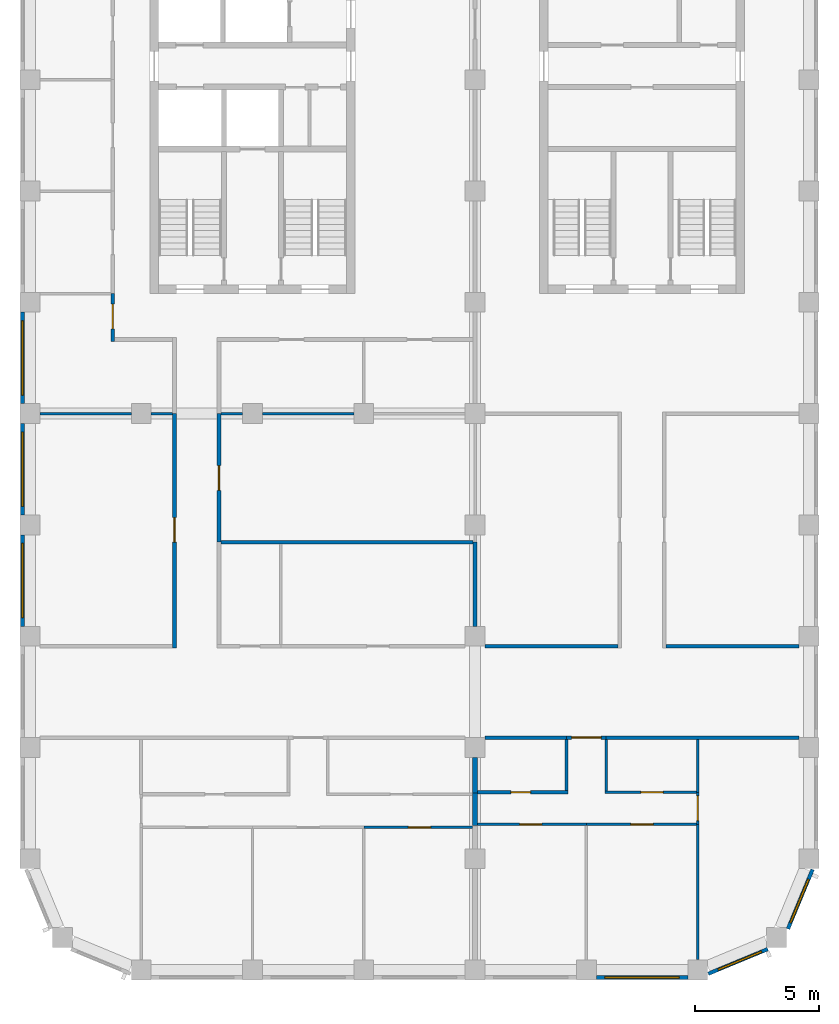
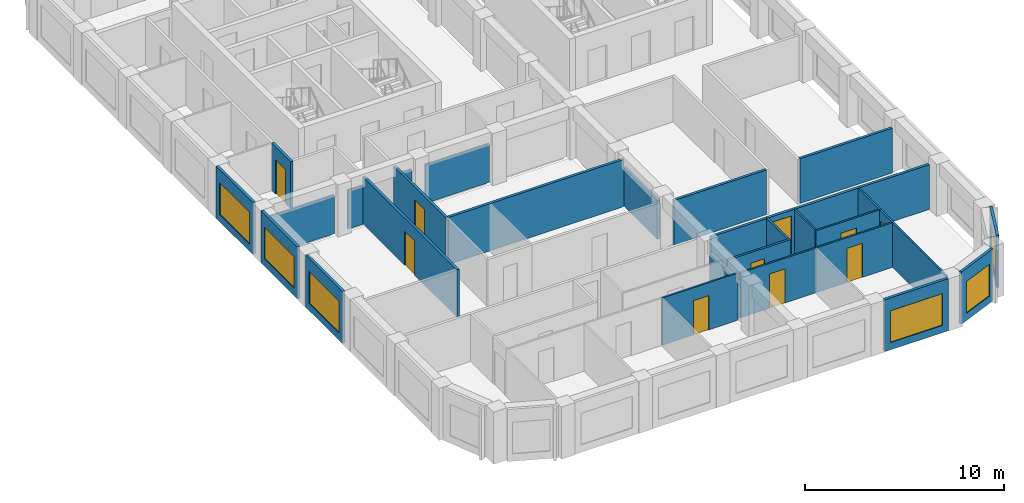
# One storey, part 3 of 9: 32 walls, 10 doors, 6 windows, 16 openings.
"""IFC4 building model written with IfcOpenShell, lengths in metres."""

import ifcopenshell
import ifcopenshell.guid

model = None  # the IFC model being written
_history = None  # IfcOwnerHistory: only IFC2X3 demands one
_inside = {}  # id of a spatial element -> (the spatial element, [elements in it])
_under = {}  # id of a project, library or spatial element -> (it, [spatial elements below it])
_declared = {}  # id of a project -> (the project, [libraries it declares])
_typed = {}  # id of a type object -> (the type object, [elements of that type])
_made_of = {}  # id of a material, layer set ... -> (it, [elements and type objects made of it])


def new_model(schema):
    """Start an empty IFC model of exactly this schema.

    Asked for "IFC4X3", IfcOpenShell would pick the latest addendum, in which some entities
    have other attributes; the version numbers below select the first issue.
    IFC2X3 requires an IfcOwnerHistory on every rooted entity: one is made here for all.
    """
    global model, _history
    if schema == "IFC4X3":
        model = ifcopenshell.file(schema_version=(4, 3, 0, 0))
    else:
        model = ifcopenshell.file(schema=schema)
    _inside.clear()
    _under.clear()
    _declared.clear()
    _typed.clear()
    _made_of.clear()
    _history = None
    if model.schema == "IFC2X3":
        org = make("IfcOrganization", Name="unknown")
        user = make(
            "IfcPersonAndOrganization",
            ThePerson=make("IfcPerson", FamilyName="unknown"),
            TheOrganization=org,
        )
        app = make(
            "IfcApplication",
            ApplicationDeveloper=org,
            Version="unknown",
            ApplicationFullName="unknown",
            ApplicationIdentifier="unknown",
        )
        _history = make(
            "IfcOwnerHistory",
            OwningUser=user,
            OwningApplication=app,
            ChangeAction="ADDED",
            CreationDate=0,
        )
    return model


def make(cls, **values):
    """One entity of the class cls with the attributes given. An attribute that is None is left unset."""
    return model.create_entity(
        cls, **{name: value for name, value in values.items() if value is not None}
    )


def rooted(cls, **values):
    """An entity with a GlobalId (a new one), such as an element, a storey or a relation."""
    return make(cls, GlobalId=ifcopenshell.guid.new(), OwnerHistory=_history, **values)


def si_unit(unit_type, name, prefix=None):
    """IfcSIUnit, for example si_unit("LENGTHUNIT", "METRE", prefix="MILLI")."""
    return make("IfcSIUnit", UnitType=unit_type, Prefix=prefix, Name=name)


def assignment(units):
    """IfcUnitAssignment: the units of a project."""
    return None if units is None else make("IfcUnitAssignment", Units=units)


def point(xyz):
    """IfcCartesianPoint."""
    return None if xyz is None else make("IfcCartesianPoint", Coordinates=xyz)


def direction(xyz):
    """IfcDirection."""
    return None if xyz is None else make("IfcDirection", DirectionRatios=xyz)


def frame(location, z_axis=None, x_axis=None):
    """IfcAxis2Placement3D, a coordinate frame: its origin and axes. An axis left out is left unset."""
    return make(
        "IfcAxis2Placement3D",
        Location=point(location),
        Axis=direction(z_axis),
        RefDirection=direction(x_axis),
    )


def frame_2d(location, x_axis=None):
    """IfcAxis2Placement2D, a coordinate frame in the plane: its origin and x axis."""
    return make(
        "IfcAxis2Placement2D", Location=point(location), RefDirection=direction(x_axis)
    )


def origin():
    """The frame at (0, 0, 0) with its axes left unset."""
    return frame((0.0, 0.0, 0.0))


def place(relative_to, where):
    """IfcLocalPlacement: puts the frame where relative to a parent placement (None: the world)."""
    return make(
        "IfcLocalPlacement", PlacementRelTo=relative_to, RelativePlacement=where
    )


def context(
    kind, dimensions, precision=None, world=None, true_north=None, identifier=None
):
    """IfcGeometricRepresentationContext, for example the 3D "Model" context."""
    return make(
        "IfcGeometricRepresentationContext",
        ContextIdentifier=identifier,
        ContextType=kind,
        CoordinateSpaceDimension=dimensions,
        Precision=precision,
        WorldCoordinateSystem=world,
        TrueNorth=true_north,
    )


def subcontext(parent, identifier, kind, view, scale=None):
    """IfcGeometricRepresentationSubContext, for example "Body" below "Model"."""
    return make(
        "IfcGeometricRepresentationSubContext",
        ContextIdentifier=identifier,
        ContextType=kind,
        ParentContext=parent,
        TargetScale=scale,
        TargetView=view,
    )


def project(units=None, contexts=None):
    """IfcProject with its units and contexts."""
    return rooted(
        "IfcProject",
        Name="project",
        RepresentationContexts=contexts,
        UnitsInContext=assignment(units),
    )


def spatial(cls, under=None, at=None, **own):
    """A site, building, storey or space (cls), placed at a placement, below another one or the project."""
    s = rooted(cls, ObjectPlacement=at, **own)
    if under is not None:
        _under.setdefault(under.id(), (under, []))[1].append(s)
    return s


def profile(cls, at=None, kind="AREA", **sizes):
    """A parametric profile (cls). Its sizes go by their IFC names, for example OverallWidth=200.0."""
    return make(cls, ProfileType=kind, Position=at, **sizes)


def rectangle(**sizes):
    """IfcRectangleProfileDef."""
    return profile("IfcRectangleProfileDef", **sizes)


def extrude(swept, where, along, depth):
    """IfcExtrudedAreaSolid: the profile swept, set in the frame where, extruded along a direction by depth."""
    return make(
        "IfcExtrudedAreaSolid",
        SweptArea=swept,
        Position=where,
        ExtrudedDirection=direction(along),
        Depth=depth,
    )


def shape(context_of_items, identifier, shape_type, items):
    """IfcShapeRepresentation: the items that make up one representation, for example the "Body"."""
    return make(
        "IfcShapeRepresentation",
        ContextOfItems=context_of_items,
        RepresentationIdentifier=identifier,
        RepresentationType=shape_type,
        Items=items,
    )


def material(Name=None, Category=None):
    """IfcMaterial."""
    return make("IfcMaterial", Name=Name, Category=Category)


def layer(
    of_material, thickness, ventilated=None, Name=None, Category=None, Priority=None
):
    """IfcMaterialLayer: one layer of a wall or slab, of a material (None: an air gap)."""
    return make(
        "IfcMaterialLayer",
        Material=of_material,
        LayerThickness=thickness,
        IsVentilated=ventilated,
        Name=Name,
        Category=Category,
        Priority=Priority,
    )


def layer_set(layers, Name=None):
    """IfcMaterialLayerSet."""
    return make("IfcMaterialLayerSet", MaterialLayers=layers, LayerSetName=Name)


def made_of(thing, what):
    """Note that an element or type object is made of a material, layer set ...; save() writes the relation."""
    if what is not None:
        _made_of.setdefault(what.id(), (what, []))[1].append(thing)
    return thing


def type_object(cls, material=None, **own):
    """A type object (cls), such as IfcWallType, which elements share."""
    return made_of(rooted(cls, **own), material)


def element(
    cls,
    number,
    at=None,
    inside=None,
    cuts=None,
    type_object=None,
    material=None,
    context=None,
    identifier="Body",
    shape_type=None,
    held_by="IfcProductDefinitionShape",
    body=None,
    shapes=None,
    **own,
):
    """One element of the class cls, such as IfcWall. Its Tag is "e" and its number.

    at: its placement. inside: the storey or other place that contains it. cuts: it is an
    opening in that element (IfcRelVoidsElement). A single representation is given by context,
    identifier, shape_type and body (its items); several are given by shapes. held_by: the class
    of the entity that holds the representations. save() writes the other relations.
    """
    e = rooted(cls, Tag="e%d" % number, ObjectPlacement=at, **own)
    if body is not None:
        shapes = [shape(context, identifier, shape_type, body)]
    if shapes is not None:
        e.Representation = make(held_by, Representations=shapes)
    if inside is not None:
        _inside.setdefault(inside.id(), (inside, []))[1].append(e)
    if cuts is not None:
        rooted(
            "IfcRelVoidsElement", RelatingBuildingElement=cuts, RelatedOpeningElement=e
        )
    if type_object is not None:
        _typed.setdefault(type_object.id(), (type_object, []))[1].append(e)
    return made_of(e, material)


def fill(opening, filler):
    """IfcRelFillsElement: the door or window that sits in an opening."""
    return rooted(
        "IfcRelFillsElement",
        RelatingOpeningElement=opening,
        RelatedBuildingElement=filler,
    )


def aggregate(whole, parts):
    """IfcRelAggregates: a whole, such as a stair, and the parts it consists of."""
    return rooted("IfcRelAggregates", RelatingObject=whole, RelatedObjects=parts)


def save(model, path):
    """Write the relations noted so far, then the file.

    IfcRelAggregates (storeys below a building ...), IfcRelContainedInSpatialStructure (elements
    in a storey), IfcRelDefinesByType, IfcRelAssociatesMaterial and IfcRelDeclares: one each for
    every whole, place, type object, material and project.
    """
    for whole, parts in _under.values():
        aggregate(whole, parts)
    for where, things in _inside.values():
        rooted(
            "IfcRelContainedInSpatialStructure",
            RelatedElements=things,
            RelatingStructure=where,
        )
    for kind, things in _typed.values():
        rooted("IfcRelDefinesByType", RelatedObjects=things, RelatingType=kind)
    for what, things in _made_of.values():
        rooted("IfcRelAssociatesMaterial", RelatedObjects=things, RelatingMaterial=what)
    for by, libraries in _declared.values():
        rooted("IfcRelDeclares", RelatingContext=by, RelatedDefinitions=libraries)
    model.write(path)


model = new_model("IFC4")

# Units and contexts
model_context = context("Model", 3, precision=1e-05, world=origin(), true_north=direction((0.0, 1.0)))
body_context = subcontext(model_context, "Body", "Model", "MODEL_VIEW")
ifc_project = project(units=[si_unit("LENGTHUNIT", "METRE"), si_unit("AREAUNIT", "SQUARE_METRE"), si_unit("VOLUMEUNIT", "CUBIC_METRE"), si_unit("PLANEANGLEUNIT", "RADIAN"), si_unit("MASSUNIT", "GRAM", prefix="KILO")], contexts=[model_context])

# Site, building, storey
site_placement = place(None, origin())
site = spatial("IfcSite", under=ifc_project, at=site_placement, CompositionType="ELEMENT")
building_placement = place(site_placement, origin())
building = spatial("IfcBuilding", under=site, at=building_placement, Name="Girih Gate Residences", CompositionType="ELEMENT")
storey_placement = place(building_placement, frame((0.0, 0.0, 226.094970703125)))
storey = spatial("IfcBuildingStorey", under=building, at=storey_placement, Name="L63", CompositionType="ELEMENT", Elevation=226.094970703125)

# Wall
ifc_material_1 = material(Name="Gypsum board on steel studs", Category="steel")
ifc_layer_1 = layer(ifc_material_1, 0.14990234375)
ifc_layer_set_1 = layer_set([ifc_layer_1], Name="Compartment wall 150 mm")
wall_type_1 = type_object("IfcWallType", Name="Compartment wall 150 mm", PredefinedType="PARTITIONING", material=ifc_layer_set_1)
wall_1_placement = place(storey_placement, frame((18.39990234375, 9.39990234375, 0.0), z_axis=(0.0, 0.0, 1.0), x_axis=(1.0, 0.0, 0.0)))
element("IfcWall", 1, at=wall_1_placement, inside=storey, type_object=wall_type_1, Name="L63 partition", PredefinedType="PARTITIONING", context=body_context, shape_type="SweptSolid", body=[
    extrude(rectangle(XDim=3.300048828125, YDim=0.14990234375, at=frame_2d((1.64990234375, 0.0))), origin(), (0.0, 0.0, 1.0), 2.75),
])

# Wall, opening, door
wall_2_placement = place(storey_placement, frame((23.300048828125, 9.39990234375, 0.0), z_axis=(0.0, 0.0, 1.0), x_axis=(-1.0, 0.0, 0.0)))
wall_2 = element("IfcWall", 2, at=wall_2_placement, inside=storey, type_object=wall_type_1, Name="L63 partition", PredefinedType="PARTITIONING", context=body_context, shape_type="SweptSolid", body=[
    extrude(rectangle(XDim=1.60009765625, YDim=0.14990234375, at=frame_2d((0.800048828125, 0.0))), origin(), (0.0, 0.0, 1.0), 2.75),
])
opening_1_placement = place(wall_2_placement, frame((0.199951171875, 0.0, 0.0)))
opening_1 = element("IfcOpeningElement", 3, at=opening_1_placement, cuts=wall_2, Name="Opening A63-023", PredefinedType="OPENING", context=body_context, shape_type="SweptSolid", body=[
    extrude(rectangle(XDim=1.199951171875, YDim=2.39990234375, at=frame_2d((0.60009765625, 1.199951171875))), frame((0.0, 0.0849609375, 0.0), z_axis=(0.0, -1.0, 0.0), x_axis=(1.0, 0.0, 0.0)), (0.0, 0.0, 1.0), 0.169921875),
])
ifc_material_2 = material(Name="Timber, fire-rated core", Category="wood")
door_type_1 = type_object("IfcDoorType", Name="Villa entrance door 1200x2400 FD30S", OperationType="NOTDEFINED", PredefinedType="DOOR", material=ifc_material_2)
door_1_placement = place(opening_1_placement, origin())
door_1 = element("IfcDoor", 4, at=door_1_placement, inside=storey, type_object=door_type_1, Name="Door A63-023", OperationType="SINGLE_SWING_LEFT", OverallHeight=2.39990234375, OverallWidth=1.199951171875, PredefinedType="DOOR", context=body_context, shape_type="SweptSolid", body=[
    extrude(rectangle(XDim=1.199951171875, YDim=2.39990234375, at=frame_2d((0.60009765625, 1.199951171875))), frame((0.0, 0.02490234375, 0.0), z_axis=(0.0, -1.0, 0.0), x_axis=(1.0, 0.0, 0.0)), (0.0, 0.0, 1.0), 0.050048828125),
])
fill(opening_1, door_1)

# Wall
wall_3_placement = place(storey_placement, frame((23.300048828125, 9.39990234375, 0.0), z_axis=(0.0, 0.0, 1.0), x_axis=(1.0, 0.0, 0.0)))
element("IfcWall", 5, at=wall_3_placement, inside=storey, type_object=wall_type_1, Name="L63 partition", PredefinedType="PARTITIONING", context=body_context, shape_type="SweptSolid", body=[
    extrude(rectangle(XDim=7.800048828125, YDim=0.14990234375, at=frame_2d((3.89990234375, 0.0))), origin(), (0.0, 0.0, 1.0), 2.75),
])

# Wall, opening, door
wall_4_placement = place(storey_placement, frame((7.64990234375, 22.5, 0.0), z_axis=(0.0, 0.0, 1.0), x_axis=(0.0, -1.0, 0.0)))
wall_4 = element("IfcWall", 6, at=wall_4_placement, inside=storey, type_object=wall_type_1, Name="L63 partition", PredefinedType="PARTITIONING", context=body_context, shape_type="SweptSolid", body=[
    extrude(rectangle(XDim=5.199951171875, YDim=0.14990234375, at=frame_2d((2.60009765625, 0.0))), origin(), (0.0, 0.0, 1.0), 2.900146484375),
])
opening_2_placement = place(wall_4_placement, frame((2.10009765625, 0.0, 0.0)))
opening_2 = element("IfcOpeningElement", 7, at=opening_2_placement, cuts=wall_4, Name="Opening A63-024", PredefinedType="OPENING", context=body_context, shape_type="SweptSolid", body=[
    extrude(rectangle(XDim=1.0, YDim=2.10009765625, at=frame_2d((0.5, 1.050048828125))), frame((0.0, 0.0849609375, 0.0), z_axis=(0.0, -1.0, 0.0), x_axis=(1.0, 0.0, 0.0)), (0.0, 0.0, 1.0), 0.169921875),
])
door_type_2 = type_object("IfcDoorType", Name="Amenity room door 1000x2100 FD30S", OperationType="NOTDEFINED", PredefinedType="DOOR", material=ifc_material_2)
door_2_placement = place(opening_2_placement, origin())
door_2 = element("IfcDoor", 8, at=door_2_placement, inside=storey, type_object=door_type_2, Name="Door A63-024", OperationType="SINGLE_SWING_RIGHT", OverallHeight=2.10009765625, OverallWidth=1.0, PredefinedType="DOOR", context=body_context, shape_type="SweptSolid", body=[
    extrude(rectangle(XDim=1.0, YDim=2.10009765625, at=frame_2d((0.5, 1.050048828125))), frame((0.0, 0.02490234375, 0.0), z_axis=(0.0, -1.0, 0.0), x_axis=(1.0, 0.0, 0.0)), (0.0, 0.0, 1.0), 0.050048828125),
])
fill(opening_2, door_2)

# Walls
wall_5_placement = place(storey_placement, frame((7.72509765625, 17.300048828125, 0.0), z_axis=(0.0, 0.0, 1.0), x_axis=(1.0, 0.0, 0.0)))
element("IfcWall", 9, at=wall_5_placement, inside=storey, type_object=wall_type_1, Name="L63 partition", PredefinedType="PARTITIONING", context=body_context, shape_type="SweptSolid", body=[
    extrude(rectangle(XDim=10.199951171875, YDim=0.14990234375, at=frame_2d((5.10009765625, 0.0))), origin(), (0.0, 0.0, 1.0), 2.900146484375),
])
for number, where, z_axis, x_axis, name in (
    (10, (18.39990234375, 13.10009765625, 0.0), (0.0, 0.0, 1.0), (1.0, 0.0, 0.0), "L63 partition"),
    (11, (25.72509765625, 13.10009765625, 0.0), (0.0, 0.0, 1.0), (1.0, 0.0, 0.0), "L63 partition"),
):
    element("IfcWall", number, at=place(storey_placement, frame(where, z_axis=z_axis, x_axis=x_axis)), inside=storey, type_object=wall_type_1, Name=name, PredefinedType="PARTITIONING", context=body_context, shape_type="SweptSolid", body=[
        extrude(rectangle(XDim=5.375, YDim=0.14990234375, at=frame_2d((2.6875, 0.0))), origin(), (0.0, 0.0, 1.0), 2.75),
    ])
wall_6_placement = place(storey_placement, frame((18.0, 13.89990234375, 0.0), z_axis=(0.0, 0.0, 1.0), x_axis=(0.0, 1.0, 0.0)))
element("IfcWall", 12, at=wall_6_placement, inside=storey, type_object=wall_type_1, Name="L63 partition", PredefinedType="PARTITIONING", context=body_context, shape_type="SweptSolid", body=[
    extrude(rectangle(XDim=3.400146484375, YDim=0.14990234375, at=frame_2d((1.7001953125, 0.0))), origin(), (0.0, 0.0, 1.0), 2.380126953125),
])

# Wall, opening, door
wall_7_placement = place(storey_placement, frame((3.35009765625, 25.425048828125, 0.0), z_axis=(0.0, 0.0, 1.0), x_axis=(0.0, 1.0, 0.0)))
wall_7 = element("IfcWall", 13, at=wall_7_placement, inside=storey, type_object=wall_type_1, Name="L63 partition", PredefinedType="PARTITIONING", context=body_context, shape_type="SweptSolid", body=[
    extrude(rectangle(XDim=1.925048828125, YDim=0.14990234375, at=frame_2d((0.96240234375, 0.0))), origin(), (0.0, 0.0, 1.0), 2.900146484375),
])
opening_3_placement = place(wall_7_placement, frame((0.5, 0.0, 0.0)))
opening_3 = element("IfcOpeningElement", 14, at=opening_3_placement, cuts=wall_7, Name="Opening A63-031", PredefinedType="OPENING", context=body_context, shape_type="SweptSolid", body=[
    extrude(rectangle(XDim=1.0, YDim=2.10009765625, at=frame_2d((0.5, 1.050048828125))), frame((0.0, 0.0849609375, 0.0), z_axis=(0.0, -1.0, 0.0), x_axis=(1.0, 0.0, 0.0)), (0.0, 0.0, 1.0), 0.169921875),
])
door_3_placement = place(opening_3_placement, origin())
door_3 = element("IfcDoor", 15, at=door_3_placement, inside=storey, type_object=door_type_2, Name="Door A63-031", OperationType="SINGLE_SWING_RIGHT", OverallHeight=2.10009765625, OverallWidth=1.0, PredefinedType="DOOR", context=body_context, shape_type="SweptSolid", body=[
    extrude(rectangle(XDim=1.0, YDim=2.10009765625, at=frame_2d((0.5, 1.050048828125))), frame((0.0, 0.02490234375, 0.0), z_axis=(0.0, -1.0, 0.0), x_axis=(1.0, 0.0, 0.0)), (0.0, 0.0, 1.0), 0.050048828125),
])
fill(opening_3, door_3)

wall_8_placement = place(storey_placement, frame((5.85009765625, 13.02490234375, 0.0), z_axis=(0.0, 0.0, 1.0), x_axis=(0.0, 1.0, 0.0)))
wall_8 = element("IfcWall", 16, at=wall_8_placement, inside=storey, type_object=wall_type_1, Name="L63 partition", PredefinedType="PARTITIONING", context=body_context, shape_type="SweptSolid", body=[
    extrude(rectangle(XDim=9.47509765625, YDim=0.14990234375, at=frame_2d((4.737548828125, 0.0))), origin(), (0.0, 0.0, 1.0), 2.900146484375),
])
opening_4_placement = place(wall_8_placement, frame((4.27490234375, 0.0, 0.0)))
opening_4 = element("IfcOpeningElement", 17, at=opening_4_placement, cuts=wall_8, Name="Opening A63-037", PredefinedType="OPENING", context=body_context, shape_type="SweptSolid", body=[
    extrude(rectangle(XDim=1.0, YDim=2.10009765625, at=frame_2d((0.5, 1.050048828125))), frame((0.0, 0.0849609375, 0.0), z_axis=(0.0, -1.0, 0.0), x_axis=(1.0, 0.0, 0.0)), (0.0, 0.0, 1.0), 0.169921875),
])
door_4_placement = place(opening_4_placement, origin())
door_4 = element("IfcDoor", 18, at=door_4_placement, inside=storey, type_object=door_type_2, Name="Door A63-037", OperationType="SINGLE_SWING_RIGHT", OverallHeight=2.10009765625, OverallWidth=1.0, PredefinedType="DOOR", context=body_context, shape_type="SweptSolid", body=[
    extrude(rectangle(XDim=1.0, YDim=2.10009765625, at=frame_2d((0.5, 1.050048828125))), frame((0.0, 0.02490234375, 0.0), z_axis=(0.0, -1.0, 0.0), x_axis=(1.0, 0.0, 0.0)), (0.0, 0.0, 1.0), 0.050048828125),
])
fill(opening_4, door_4)

ifc_layer_2 = layer(ifc_material_1, 0.10009765625)
ifc_layer_set_2 = layer_set([ifc_layer_2], Name="Partition 100 mm")
wall_type_2 = type_object("IfcWallType", Name="Partition 100 mm", PredefinedType="PARTITIONING", material=ifc_layer_set_2)
wall_9_placement = place(storey_placement, frame((17.89990234375, 5.77001953125, 0.0), z_axis=(0.0, 0.0, 1.0), x_axis=(-1.0, 0.0, 0.0)))
wall_9 = element("IfcWall", 19, at=wall_9_placement, inside=storey, type_object=wall_type_2, Name="L63 partition", PredefinedType="PARTITIONING", context=body_context, shape_type="SweptSolid", body=[
    extrude(rectangle(XDim=4.39990234375, YDim=0.10009765625, at=frame_2d((2.199951171875, 0.0))), origin(), (0.0, 0.0, 1.0), 2.900146484375),
])
opening_5_placement = place(wall_9_placement, frame((1.699951171875, 0.0, 0.0)))
opening_5 = element("IfcOpeningElement", 20, at=opening_5_placement, cuts=wall_9, Name="Opening A63-004", PredefinedType="OPENING", context=body_context, shape_type="SweptSolid", body=[
    extrude(rectangle(XDim=0.89990234375, YDim=2.10009765625, at=frame_2d((0.449951171875, 1.050048828125))), frame((0.0, 0.06005859375, 0.0), z_axis=(0.0, -1.0, 0.0), x_axis=(1.0, 0.0, 0.0)), (0.0, 0.0, 1.0), 0.1201171875),
])
ifc_material_3 = material(Name="Timber", Category="wood")
door_type_3 = type_object("IfcDoorType", Name="Bedroom door 900x2100", OperationType="NOTDEFINED", PredefinedType="DOOR", material=ifc_material_3)
door_5_placement = place(opening_5_placement, origin())
door_5 = element("IfcDoor", 21, at=door_5_placement, inside=storey, type_object=door_type_3, Name="Door A63-004", OperationType="SINGLE_SWING_LEFT", OverallHeight=2.10009765625, OverallWidth=0.89990234375, PredefinedType="DOOR", context=body_context, shape_type="SweptSolid", body=[
    extrude(rectangle(XDim=0.89990234375, YDim=2.10009765625, at=frame_2d((0.449951171875, 1.050048828125))), frame((0.0, 0.02490234375, 0.0), z_axis=(0.0, -1.0, 0.0), x_axis=(1.0, 0.0, 0.0)), (0.0, 0.0, 1.0), 0.050048828125),
])
fill(opening_5, door_5)

wall_10_placement = place(storey_placement, frame((22.5, 5.889892578125, 0.0), z_axis=(0.0, 0.0, 1.0), x_axis=(-1.0, 0.0, 0.0)))
wall_10 = element("IfcWall", 22, at=wall_10_placement, inside=storey, type_object=wall_type_2, Name="L63 partition", PredefinedType="PARTITIONING", context=body_context, shape_type="SweptSolid", body=[
    extrude(rectangle(XDim=4.39990234375, YDim=0.10009765625, at=frame_2d((2.199951171875, 0.0))), origin(), (0.0, 0.0, 1.0), 2.75),
])
opening_6_placement = place(wall_10_placement, frame((1.800048828125, 0.0, 0.0)))
opening_6 = element("IfcOpeningElement", 23, at=opening_6_placement, cuts=wall_10, Name="Opening A63-019", PredefinedType="OPENING", context=body_context, shape_type="SweptSolid", body=[
    extrude(rectangle(XDim=0.89990234375, YDim=2.10009765625, at=frame_2d((0.449951171875, 1.050048828125))), frame((0.0, 0.06005859375, 0.0), z_axis=(0.0, -1.0, 0.0), x_axis=(1.0, 0.0, 0.0)), (0.0, 0.0, 1.0), 0.1201171875),
])
door_6_placement = place(opening_6_placement, origin())
door_6 = element("IfcDoor", 24, at=door_6_placement, inside=storey, type_object=door_type_3, Name="Door A63-019", OperationType="SINGLE_SWING_RIGHT", OverallHeight=2.10009765625, OverallWidth=0.89990234375, PredefinedType="DOOR", context=body_context, shape_type="SweptSolid", body=[
    extrude(rectangle(XDim=0.89990234375, YDim=2.10009765625, at=frame_2d((0.449951171875, 1.050048828125))), frame((0.0, 0.02490234375, 0.0), z_axis=(0.0, -1.0, 0.0), x_axis=(1.0, 0.0, 0.0)), (0.0, 0.0, 1.0), 0.050048828125),
])
fill(opening_6, door_6)

wall_11_placement = place(storey_placement, frame((26.949951171875, 5.889892578125, 0.0), z_axis=(0.0, 0.0, 1.0), x_axis=(-1.0, 0.0, 0.0)))
wall_11 = element("IfcWall", 25, at=wall_11_placement, inside=storey, type_object=wall_type_2, Name="L63 partition", PredefinedType="PARTITIONING", context=body_context, shape_type="SweptSolid", body=[
    extrude(rectangle(XDim=4.449951171875, YDim=0.10009765625, at=frame_2d((2.22509765625, 0.0))), origin(), (0.0, 0.0, 1.0), 2.75),
])
opening_7_placement = place(wall_11_placement, frame((1.75, 0.0, 0.0)))
opening_7 = element("IfcOpeningElement", 26, at=opening_7_placement, cuts=wall_11, Name="Opening A63-020", PredefinedType="OPENING", context=body_context, shape_type="SweptSolid", body=[
    extrude(rectangle(XDim=0.89990234375, YDim=2.10009765625, at=frame_2d((0.449951171875, 1.050048828125))), frame((0.0, 0.06005859375, 0.0), z_axis=(0.0, -1.0, 0.0), x_axis=(1.0, 0.0, 0.0)), (0.0, 0.0, 1.0), 0.1201171875),
])
door_7_placement = place(opening_7_placement, origin())
door_7 = element("IfcDoor", 27, at=door_7_placement, inside=storey, type_object=door_type_3, Name="Door A63-020", OperationType="SINGLE_SWING_LEFT", OverallHeight=2.10009765625, OverallWidth=0.89990234375, PredefinedType="DOOR", context=body_context, shape_type="SweptSolid", body=[
    extrude(rectangle(XDim=0.89990234375, YDim=2.10009765625, at=frame_2d((0.449951171875, 1.050048828125))), frame((0.0, 0.02490234375, 0.0), z_axis=(0.0, -1.0, 0.0), x_axis=(1.0, 0.0, 0.0)), (0.0, 0.0, 1.0), 0.050048828125),
])
fill(opening_7, door_7)

# Walls
wall_12_placement = place(storey_placement, frame((27.0, 0.432861328125, 0.0), z_axis=(0.0, 0.0, 1.0), x_axis=(0.0, 1.0, 0.0)))
element("IfcWall", 28, at=wall_12_placement, inside=storey, type_object=wall_type_2, Name="L63 partition", PredefinedType="PARTITIONING", context=body_context, shape_type="SweptSolid", body=[
    extrude(rectangle(XDim=5.45703125, YDim=0.10009765625, at=frame_2d((2.728515625, 0.0))), origin(), (0.0, 0.0, 1.0), 2.75),
])
wall_13_placement = place(storey_placement, frame((23.300048828125, 7.239990234375, 0.0), z_axis=(0.0, 0.0, 1.0), x_axis=(0.0, 1.0, 0.0)))
element("IfcWall", 29, at=wall_13_placement, inside=storey, type_object=wall_type_2, Name="L63 partition", PredefinedType="PARTITIONING", context=body_context, shape_type="SweptSolid", body=[
    extrude(rectangle(XDim=2.0849609375, YDim=0.10009765625, at=frame_2d((1.04248046875, 0.0))), origin(), (0.0, 0.0, 1.0), 2.75),
])

# Wall, opening, door
wall_14_placement = place(storey_placement, frame((23.25, 7.18994140625, 0.0), z_axis=(0.0, 0.0, 1.0), x_axis=(1.0, 0.0, 0.0)))
wall_14 = element("IfcWall", 30, at=wall_14_placement, inside=storey, type_object=wall_type_2, Name="L63 partition", PredefinedType="PARTITIONING", context=body_context, shape_type="SweptSolid", body=[
    extrude(rectangle(XDim=3.699951171875, YDim=0.10009765625, at=frame_2d((1.85009765625, 0.0))), origin(), (0.0, 0.0, 1.0), 2.75),
])
opening_8_placement = place(wall_14_placement, frame((1.449951171875, 0.0, 0.0)))
opening_8 = element("IfcOpeningElement", 31, at=opening_8_placement, cuts=wall_14, Name="Opening A63-021", PredefinedType="OPENING", context=body_context, shape_type="SweptSolid", body=[
    extrude(rectangle(XDim=0.89990234375, YDim=2.10009765625, at=frame_2d((0.449951171875, 1.050048828125))), frame((0.0, 0.06005859375, 0.0), z_axis=(0.0, -1.0, 0.0), x_axis=(1.0, 0.0, 0.0)), (0.0, 0.0, 1.0), 0.1201171875),
])
door_type_4 = type_object("IfcDoorType", Name="Kitchen door 900x2100", OperationType="NOTDEFINED", PredefinedType="DOOR", material=ifc_material_3)
door_8_placement = place(opening_8_placement, origin())
door_8 = element("IfcDoor", 32, at=door_8_placement, inside=storey, type_object=door_type_4, Name="Door A63-021", OperationType="SINGLE_SWING_RIGHT", OverallHeight=2.10009765625, OverallWidth=0.89990234375, PredefinedType="DOOR", context=body_context, shape_type="SweptSolid", body=[
    extrude(rectangle(XDim=0.89990234375, YDim=2.10009765625, at=frame_2d((0.449951171875, 1.050048828125))), frame((0.0, 0.02490234375, 0.0), z_axis=(0.0, -1.0, 0.0), x_axis=(1.0, 0.0, 0.0)), (0.0, 0.0, 1.0), 0.050048828125),
])
fill(opening_8, door_8)

wall_15_placement = place(storey_placement, frame((27.0, 7.18994140625, 0.0), z_axis=(0.0, 0.0, 1.0), x_axis=(0.0, -1.0, 0.0)))
wall_15 = element("IfcWall", 33, at=wall_15_placement, inside=storey, type_object=wall_type_2, Name="L63 partition", PredefinedType="PARTITIONING", context=body_context, shape_type="SweptSolid", body=[
    extrude(rectangle(XDim=1.300048828125, YDim=0.10009765625, at=frame_2d((0.64990234375, 0.0))), origin(), (0.0, 0.0, 1.0), 2.75),
])
opening_9_placement = place(wall_15_placement, frame((0.14990234375, 0.0, 0.0)))
opening_9 = element("IfcOpeningElement", 34, at=opening_9_placement, cuts=wall_15, Name="Opening A63-022", PredefinedType="OPENING", context=body_context, shape_type="SweptSolid", body=[
    extrude(rectangle(XDim=1.0, YDim=2.10009765625, at=frame_2d((0.5, 1.050048828125))), frame((0.0, 0.06005859375, 0.0), z_axis=(0.0, -1.0, 0.0), x_axis=(1.0, 0.0, 0.0)), (0.0, 0.0, 1.0), 0.1201171875),
])
door_type_5 = type_object("IfcDoorType", Name="Living room door 1000x2100", OperationType="NOTDEFINED", PredefinedType="DOOR", material=ifc_material_3)
door_9_placement = place(opening_9_placement, origin())
door_9 = element("IfcDoor", 35, at=door_9_placement, inside=storey, type_object=door_type_5, Name="Door A63-022", OperationType="SINGLE_SWING_LEFT", OverallHeight=2.10009765625, OverallWidth=1.0, PredefinedType="DOOR", context=body_context, shape_type="SweptSolid", body=[
    extrude(rectangle(XDim=1.0, YDim=2.10009765625, at=frame_2d((0.5, 1.050048828125))), frame((0.0, 0.02490234375, 0.0), z_axis=(0.0, -1.0, 0.0), x_axis=(1.0, 0.0, 0.0)), (0.0, 0.0, 1.0), 0.050048828125),
])
fill(opening_9, door_9)

# Walls
wall_16_placement = place(storey_placement, frame((27.0, 7.18994140625, 0.0), z_axis=(0.0, 0.0, 1.0), x_axis=(0.0, 1.0, 0.0)))
element("IfcWall", 36, at=wall_16_placement, inside=storey, type_object=wall_type_2, Name="L63 partition", PredefinedType="PARTITIONING", context=body_context, shape_type="SweptSolid", body=[
    extrude(rectangle(XDim=2.135009765625, YDim=0.10009765625, at=frame_2d((1.0673828125, 0.0))), origin(), (0.0, 0.0, 1.0), 2.75),
])
wall_17_placement = place(storey_placement, frame((7.72509765625, 22.5, 0.0), z_axis=(0.0, 0.0, 1.0), x_axis=(1.0, 0.0, 0.0)))
element("IfcWall", 37, at=wall_17_placement, inside=storey, type_object=wall_type_2, Name="L63 partition", PredefinedType="PARTITIONING", context=body_context, shape_type="SweptSolid", body=[
    extrude(rectangle(XDim=0.875, YDim=0.10009765625, at=frame_2d((0.4375, 0.0))), origin(), (0.0, 0.0, 1.0), 2.380126953125),
])
wall_18_placement = place(storey_placement, frame((9.39990234375, 22.5, 0.0), z_axis=(0.0, 0.0, 1.0), x_axis=(1.0, 0.0, 0.0)))
element("IfcWall", 38, at=wall_18_placement, inside=storey, type_object=wall_type_2, Name="L63 partition", PredefinedType="PARTITIONING", context=body_context, shape_type="SweptSolid", body=[
    extrude(rectangle(XDim=3.7001953125, YDim=0.10009765625, at=frame_2d((1.85009765625, 0.0))), origin(), (0.0, 0.0, 1.0), 2.380126953125),
])
wall_19_placement = place(storey_placement, frame((4.89990234375, 22.5, 0.0), z_axis=(0.0, 0.0, 1.0), x_axis=(1.0, 0.0, 0.0)))
element("IfcWall", 39, at=wall_19_placement, inside=storey, type_object=wall_type_2, Name="L63 partition", PredefinedType="PARTITIONING", context=body_context, shape_type="SweptSolid", body=[
    extrude(rectangle(XDim=0.875, YDim=0.10009765625, at=frame_2d((0.4375, 0.0))), origin(), (0.0, 0.0, 1.0), 2.380126953125),
])
wall_20_placement = place(storey_placement, frame((0.39990234375, 22.5, 0.0), z_axis=(0.0, 0.0, 1.0), x_axis=(1.0, 0.0, 0.0)))
element("IfcWall", 40, at=wall_20_placement, inside=storey, type_object=wall_type_2, Name="L63 partition", PredefinedType="PARTITIONING", context=body_context, shape_type="SweptSolid", body=[
    extrude(rectangle(XDim=3.7001953125, YDim=0.10009765625, at=frame_2d((1.85009765625, 0.0))), origin(), (0.0, 0.0, 1.0), 2.380126953125),
])
ifc_layer_3 = layer(ifc_material_1, 0.199951171875)
ifc_layer_set_3 = layer_set([ifc_layer_3], Name="Party wall 200 mm")
wall_type_3 = type_object("IfcWallType", Name="Party wall 200 mm", PredefinedType="PARTITIONING", material=ifc_layer_set_3)
wall_21_placement = place(storey_placement, frame((18.0, 5.840087890625, 0.0), z_axis=(0.0, 0.0, 1.0), x_axis=(0.0, 1.0, 0.0)))
element("IfcWall", 41, at=wall_21_placement, inside=storey, type_object=wall_type_3, Name="L63 partition", PredefinedType="PARTITIONING", context=body_context, shape_type="SweptSolid", body=[
    extrude(rectangle(XDim=1.31982421875, YDim=0.199951171875, at=frame_2d((0.659912109375, 0.0))), origin(), (0.0, 0.0, 1.0), 2.380126953125),
])
wall_22_placement = place(storey_placement, frame((18.0, 7.12744140625, 0.0), z_axis=(0.0, 0.0, 1.0), x_axis=(0.0, 1.0, 0.0)))
element("IfcWall", 42, at=wall_22_placement, inside=storey, type_object=wall_type_3, Name="L63 partition", PredefinedType="PARTITIONING", context=body_context, shape_type="SweptSolid", body=[
    extrude(rectangle(XDim=1.47265625, YDim=0.199951171875, at=frame_2d((0.736328125, 0.0))), origin(), (0.0, 0.0, 1.0), 2.380126953125),
])

# Wall, opening, window
ifc_material_4 = material(Name="Precast concrete C50/60", Category="concrete")
ifc_layer_4 = layer(ifc_material_4, 0.050048828125, Name="Outer leaf")
ifc_material_5 = material(Name="Rigid PIR insulation")
ifc_layer_5 = layer(ifc_material_5, 0.06005859375, Name="Insulation")
ifc_material_6 = material(Name="Precast concrete C40/50", Category="concrete")
ifc_layer_6 = layer(ifc_material_6, 0.0400390625, Name="Inner leaf")
ifc_layer_set_4 = layer_set([ifc_layer_4, ifc_layer_5, ifc_layer_6], Name="Precast concrete C50/60 external wall 150")
wall_type_4 = type_object("IfcWallType", Name="Precast concrete C50/60 external wall 150", PredefinedType="SOLIDWALL", material=ifc_layer_set_4)
wall_23_placement = place(storey_placement, frame((29.8330078125, 0.8486328125, 0.0), z_axis=(0.0, 0.0, 1.0), x_axis=(-0.923885342263, -0.382669406082, 0.0)))
wall_23 = element("IfcWall", 43, at=wall_23_placement, inside=storey, type_object=wall_type_4, Name="External wall SE0270_0000.0", PredefinedType="SOLIDWALL", context=body_context, shape_type="SweptSolid", body=[
    extrude(rectangle(XDim=2.602294921875, YDim=0.14990234375, at=frame_2d((1.30126953125, 0.0))), origin(), (0.0, 0.0, 1.0), 3.199951171875),
])
opening_10_placement = place(wall_23_placement, frame((0.27001953125, 0.0, 0.449951171875)))
opening_10 = element("IfcOpeningElement", 44, at=opening_10_placement, cuts=wall_23, Name="Opening W-2G", PredefinedType="OPENING", context=body_context, shape_type="SweptSolid", body=[
    extrude(rectangle(XDim=1.89990234375, YDim=1.949951171875, at=frame_2d((0.949951171875, 0.97509765625))), frame((0.0, 0.0849609375, 0.0), z_axis=(0.0, -1.0, 0.0), x_axis=(1.0, 0.0, 0.0)), (0.0, 0.0, 1.0), 0.169921875),
])
ifc_material_7 = material(Name="Double glazing in aluminium frame", Category="aluminium")
window_type_1 = type_object("IfcWindowType", Name="Window W-2G 1900x1950", PartitioningType="SINGLE_PANEL", PredefinedType="WINDOW", material=ifc_material_7)
window_1_placement = place(opening_10_placement, origin())
window_1 = element("IfcWindow", 45, at=window_1_placement, inside=storey, type_object=window_type_1, Name="Window W-2G SE0270_0000.0", OverallHeight=1.949951171875, OverallWidth=1.89990234375, PartitioningType="SINGLE_PANEL", PredefinedType="WINDOW", context=body_context, shape_type="SweptSolid", body=[
    extrude(rectangle(XDim=1.89990234375, YDim=1.949951171875, at=frame_2d((0.949951171875, 0.97509765625))), frame((0.0, 0.030029296875, 0.0), z_axis=(0.0, -1.0, 0.0), x_axis=(1.0, 0.0, 0.0)), (0.0, 0.0, 1.0), 0.06005859375),
])
fill(opening_10, window_1)

wall_24_placement = place(storey_placement, frame((31.647216796875, 4.0712890625, 0.0), z_axis=(0.0, 0.0, 1.0), x_axis=(-0.382669406082, -0.923885342263, 0.0)))
wall_24 = element("IfcWall", 46, at=wall_24_placement, inside=storey, type_object=wall_type_4, Name="External wall SE0302_0013.0", PredefinedType="SOLIDWALL", context=body_context, shape_type="SweptSolid", body=[
    extrude(rectangle(XDim=2.602294921875, YDim=0.14990234375, at=frame_2d((1.30126953125, 0.0))), origin(), (0.0, 0.0, 1.0), 3.199951171875),
])
opening_11_placement = place(wall_24_placement, frame((0.432373046875, 0.0, 0.449951171875)))
opening_11 = element("IfcOpeningElement", 47, at=opening_11_placement, cuts=wall_24, Name="Opening W-2G", PredefinedType="OPENING", context=body_context, shape_type="SweptSolid", body=[
    extrude(rectangle(XDim=1.89990234375, YDim=1.949951171875, at=frame_2d((0.949951171875, 0.97509765625))), frame((0.0, 0.0849609375, 0.0), z_axis=(0.0, -1.0, 0.0), x_axis=(1.0, 0.0, 0.0)), (0.0, 0.0, 1.0), 0.169921875),
])
window_2_placement = place(opening_11_placement, origin())
window_2 = element("IfcWindow", 48, at=window_2_placement, inside=storey, type_object=window_type_1, Name="Window W-2G SE0302_0013.0", OverallHeight=1.949951171875, OverallWidth=1.89990234375, PartitioningType="SINGLE_PANEL", PredefinedType="WINDOW", context=body_context, shape_type="SweptSolid", body=[
    extrude(rectangle(XDim=1.89990234375, YDim=1.949951171875, at=frame_2d((0.949951171875, 0.97509765625))), frame((0.0, 0.030029296875, 0.0), z_axis=(0.0, -1.0, 0.0), x_axis=(1.0, 0.0, 0.0)), (0.0, 0.0, 1.0), 0.06005859375),
])
fill(opening_11, window_2)

wall_25_placement = place(storey_placement, frame((-0.300048828125, 22.89990234375, 0.0), z_axis=(0.0, 0.0, 1.0), x_axis=(0.0, 1.0, 0.0)))
wall_25 = element("IfcWall", 49, at=wall_25_placement, inside=storey, type_object=wall_type_4, Name="External wall W0000_0450.4", PredefinedType="SOLIDWALL", context=body_context, shape_type="SweptSolid", body=[
    extrude(rectangle(XDim=3.7001953125, YDim=0.14990234375, at=frame_2d((1.85009765625, 0.0))), origin(), (0.0, 0.0, 1.0), 3.199951171875),
])
opening_12_placement = place(wall_25_placement, frame((0.35009765625, 0.0, 0.449951171875)))
opening_12 = element("IfcOpeningElement", 50, at=opening_12_placement, cuts=wall_25, Name="Opening W-1D", PredefinedType="OPENING", context=body_context, shape_type="SweptSolid", body=[
    extrude(rectangle(XDim=3.0, YDim=1.949951171875, at=frame_2d((1.5, 0.97509765625))), frame((0.0, 0.0849609375, 0.0), z_axis=(0.0, -1.0, 0.0), x_axis=(1.0, 0.0, 0.0)), (0.0, 0.0, 1.0), 0.169921875),
])
window_type_2 = type_object("IfcWindowType", Name="Window W-1D 3000x1950", PartitioningType="SINGLE_PANEL", PredefinedType="WINDOW", material=ifc_material_7)
window_3_placement = place(opening_12_placement, origin())
window_3 = element("IfcWindow", 51, at=window_3_placement, inside=storey, type_object=window_type_2, Name="Window W-1D W0000_0450.4", OverallHeight=1.949951171875, OverallWidth=3.0, PartitioningType="SINGLE_PANEL", PredefinedType="WINDOW", context=body_context, shape_type="SweptSolid", body=[
    extrude(rectangle(XDim=3.0, YDim=1.949951171875, at=frame_2d((1.5, 0.97509765625))), frame((0.0, 0.030029296875, 0.0), z_axis=(0.0, -1.0, 0.0), x_axis=(1.0, 0.0, 0.0)), (0.0, 0.0, 1.0), 0.06005859375),
])
fill(opening_12, window_3)

wall_26_placement = place(storey_placement, frame((-0.300048828125, 18.39990234375, 0.0), z_axis=(0.0, 0.0, 1.0), x_axis=(0.0, 1.0, 0.0)))
wall_26 = element("IfcWall", 52, at=wall_26_placement, inside=storey, type_object=wall_type_4, Name="External wall W0000_0450.5", PredefinedType="SOLIDWALL", context=body_context, shape_type="SweptSolid", body=[
    extrude(rectangle(XDim=3.7001953125, YDim=0.14990234375, at=frame_2d((1.85009765625, 0.0))), origin(), (0.0, 0.0, 1.0), 3.199951171875),
])
opening_13_placement = place(wall_26_placement, frame((0.35009765625, 0.0, 0.449951171875)))
opening_13 = element("IfcOpeningElement", 53, at=opening_13_placement, cuts=wall_26, Name="Opening W-1D", PredefinedType="OPENING", context=body_context, shape_type="SweptSolid", body=[
    extrude(rectangle(XDim=3.0, YDim=1.949951171875, at=frame_2d((1.5, 0.97509765625))), frame((0.0, 0.0849609375, 0.0), z_axis=(0.0, -1.0, 0.0), x_axis=(1.0, 0.0, 0.0)), (0.0, 0.0, 1.0), 0.169921875),
])
window_4_placement = place(opening_13_placement, origin())
window_4 = element("IfcWindow", 54, at=window_4_placement, inside=storey, type_object=window_type_2, Name="Window W-1D W0000_0450.5", OverallHeight=1.949951171875, OverallWidth=3.0, PartitioningType="SINGLE_PANEL", PredefinedType="WINDOW", context=body_context, shape_type="SweptSolid", body=[
    extrude(rectangle(XDim=3.0, YDim=1.949951171875, at=frame_2d((1.5, 0.97509765625))), frame((0.0, 0.030029296875, 0.0), z_axis=(0.0, -1.0, 0.0), x_axis=(1.0, 0.0, 0.0)), (0.0, 0.0, 1.0), 0.06005859375),
])
fill(opening_13, window_4)

wall_27_placement = place(storey_placement, frame((-0.300048828125, 13.89990234375, 0.0), z_axis=(0.0, 0.0, 1.0), x_axis=(0.0, 1.0, 0.0)))
wall_27 = element("IfcWall", 55, at=wall_27_placement, inside=storey, type_object=wall_type_4, Name="External wall W0000_0450.6", PredefinedType="SOLIDWALL", context=body_context, shape_type="SweptSolid", body=[
    extrude(rectangle(XDim=3.7001953125, YDim=0.14990234375, at=frame_2d((1.85009765625, 0.0))), origin(), (0.0, 0.0, 1.0), 3.199951171875),
])
opening_14_placement = place(wall_27_placement, frame((0.35009765625, 0.0, 0.449951171875)))
opening_14 = element("IfcOpeningElement", 56, at=opening_14_placement, cuts=wall_27, Name="Opening W-1D", PredefinedType="OPENING", context=body_context, shape_type="SweptSolid", body=[
    extrude(rectangle(XDim=3.0, YDim=1.949951171875, at=frame_2d((1.5, 0.97509765625))), frame((0.0, 0.0849609375, 0.0), z_axis=(0.0, -1.0, 0.0), x_axis=(1.0, 0.0, 0.0)), (0.0, 0.0, 1.0), 0.169921875),
])
window_5_placement = place(opening_14_placement, origin())
window_5 = element("IfcWindow", 57, at=window_5_placement, inside=storey, type_object=window_type_2, Name="Window W-1D W0000_0450.6", OverallHeight=1.949951171875, OverallWidth=3.0, PartitioningType="SINGLE_PANEL", PredefinedType="WINDOW", context=body_context, shape_type="SweptSolid", body=[
    extrude(rectangle(XDim=3.0, YDim=1.949951171875, at=frame_2d((1.5, 0.97509765625))), frame((0.0, 0.030029296875, 0.0), z_axis=(0.0, -1.0, 0.0), x_axis=(1.0, 0.0, 0.0)), (0.0, 0.0, 1.0), 0.06005859375),
])
fill(opening_14, window_5)

wall_28_placement = place(storey_placement, frame((26.60009765625, -0.300048828125, 0.0), z_axis=(0.0, 0.0, 1.0), x_axis=(-1.0, 0.0, 0.0)))
wall_28 = element("IfcWall", 58, at=wall_28_placement, inside=storey, type_object=wall_type_4, Name="External wall S0045_0000.4", PredefinedType="SOLIDWALL", context=body_context, shape_type="SweptSolid", body=[
    extrude(rectangle(XDim=3.7001953125, YDim=0.14990234375, at=frame_2d((1.85009765625, 0.0))), origin(), (0.0, 0.0, 1.0), 3.199951171875),
])
opening_15_placement = place(wall_28_placement, frame((0.35009765625, 0.0, 0.449951171875)))
opening_15 = element("IfcOpeningElement", 59, at=opening_15_placement, cuts=wall_28, Name="Opening W-1D", PredefinedType="OPENING", context=body_context, shape_type="SweptSolid", body=[
    extrude(rectangle(XDim=3.0, YDim=1.949951171875, at=frame_2d((1.5, 0.97509765625))), frame((0.0, 0.0849609375, 0.0), z_axis=(0.0, -1.0, 0.0), x_axis=(1.0, 0.0, 0.0)), (0.0, 0.0, 1.0), 0.169921875),
])
window_6_placement = place(opening_15_placement, origin())
window_6 = element("IfcWindow", 60, at=window_6_placement, inside=storey, type_object=window_type_2, Name="Window W-1D S0045_0000.4", OverallHeight=1.949951171875, OverallWidth=3.0, PartitioningType="SINGLE_PANEL", PredefinedType="WINDOW", context=body_context, shape_type="SweptSolid", body=[
    extrude(rectangle(XDim=3.0, YDim=1.949951171875, at=frame_2d((1.5, 0.97509765625))), frame((0.0, 0.030029296875, 0.0), z_axis=(0.0, -1.0, 0.0), x_axis=(1.0, 0.0, 0.0)), (0.0, 0.0, 1.0), 0.06005859375),
])
fill(opening_15, window_6)

# Wall
ifc_layer_7 = layer(ifc_material_1, 0.125)
ifc_layer_set_5 = layer_set([ifc_layer_7], Name="Wet room wall 125 mm")
wall_type_5 = type_object("IfcWallType", Name="Wet room wall 125 mm", PredefinedType="PARTITIONING", material=ifc_layer_set_5)
wall_29_placement = place(storey_placement, frame((21.699951171875, 7.25244140625, 0.0), z_axis=(0.0, 0.0, 1.0), x_axis=(0.0, 1.0, 0.0)))
element("IfcWall", 61, at=wall_29_placement, inside=storey, type_object=wall_type_5, Name="L63 partition", PredefinedType="PARTITIONING", context=body_context, shape_type="SweptSolid", body=[
    extrude(rectangle(XDim=2.072509765625, YDim=0.125, at=frame_2d((1.0361328125, 0.0))), origin(), (0.0, 0.0, 1.0), 2.75),
])

# Wall, opening, door
wall_30_placement = place(storey_placement, frame((18.10009765625, 7.18994140625, 0.0), z_axis=(0.0, 0.0, 1.0), x_axis=(1.0, 0.0, 0.0)))
wall_30 = element("IfcWall", 62, at=wall_30_placement, inside=storey, type_object=wall_type_5, Name="L63 partition", PredefinedType="PARTITIONING", context=body_context, shape_type="SweptSolid", body=[
    extrude(rectangle(XDim=3.662353515625, YDim=0.125, at=frame_2d((1.8310546875, 0.0))), origin(), (0.0, 0.0, 1.0), 2.75),
])
opening_16_placement = place(wall_30_placement, frame((1.35009765625, 0.0, 0.0)))
opening_16 = element("IfcOpeningElement", 63, at=opening_16_placement, cuts=wall_30, Name="Opening A63-018", PredefinedType="OPENING", context=body_context, shape_type="SweptSolid", body=[
    extrude(rectangle(XDim=0.800048828125, YDim=2.10009765625, at=frame_2d((0.39990234375, 1.050048828125))), frame((0.0, 0.072509765625, 0.0), z_axis=(0.0, -1.0, 0.0), x_axis=(1.0, 0.0, 0.0)), (0.0, 0.0, 1.0), 0.14501953125),
])
door_type_6 = type_object("IfcDoorType", Name="Bathroom door 800x2100", OperationType="NOTDEFINED", PredefinedType="DOOR", material=ifc_material_3)
door_10_placement = place(opening_16_placement, origin())
door_10 = element("IfcDoor", 64, at=door_10_placement, inside=storey, type_object=door_type_6, Name="Door A63-018", OperationType="SINGLE_SWING_LEFT", OverallHeight=2.10009765625, OverallWidth=0.800048828125, PredefinedType="DOOR", context=body_context, shape_type="SweptSolid", body=[
    extrude(rectangle(XDim=0.800048828125, YDim=2.10009765625, at=frame_2d((0.39990234375, 1.050048828125))), frame((0.0, 0.02490234375, 0.0), z_axis=(0.0, -1.0, 0.0), x_axis=(1.0, 0.0, 0.0)), (0.0, 0.0, 1.0), 0.050048828125),
])
fill(opening_16, door_10)

save(model, "model.ifc")
